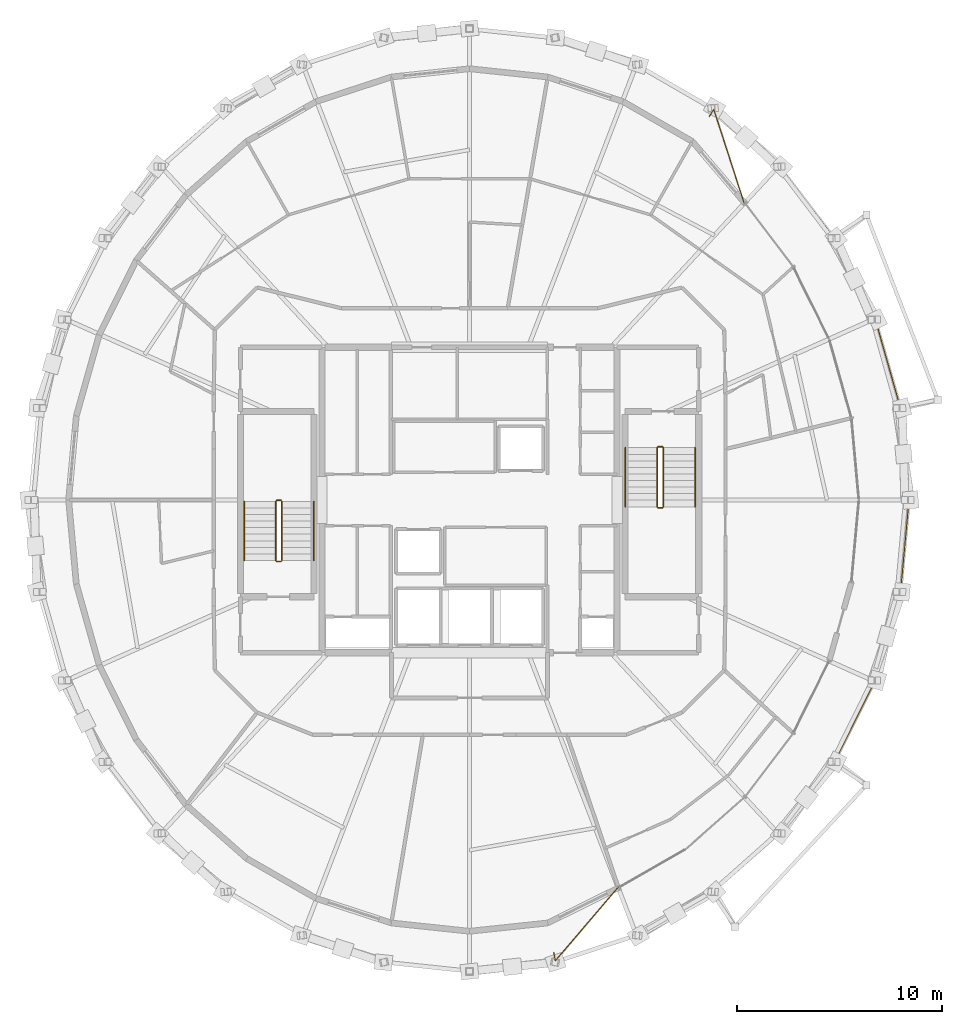
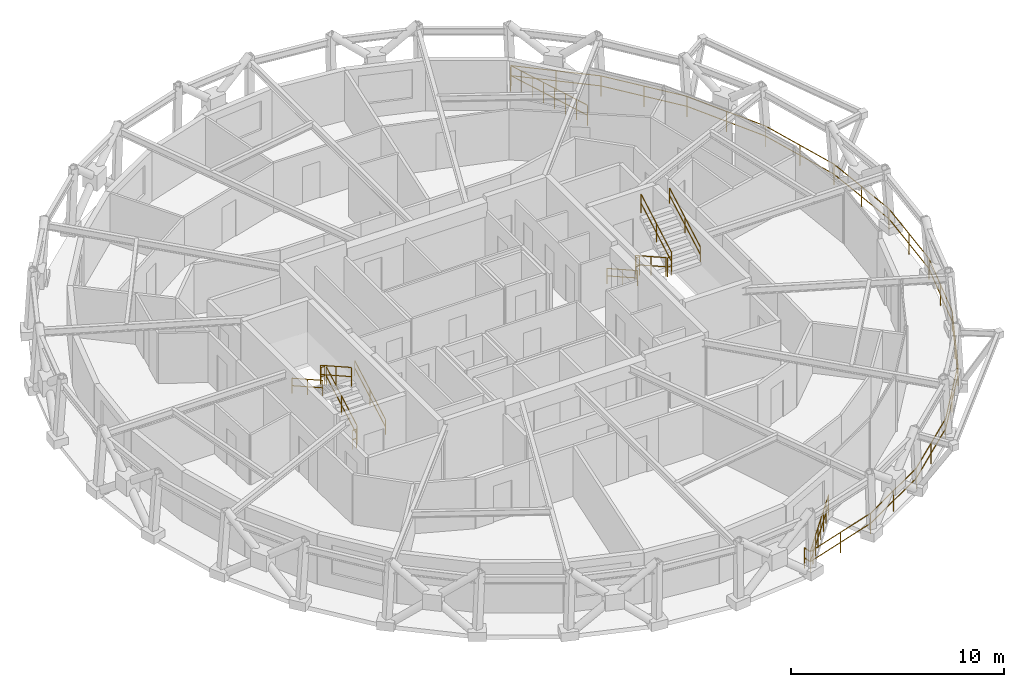
# One storey, part 15 of 15: 15 railings.
"""IFC4 building model written with IfcOpenShell, lengths in metres."""

from ifc_helpers import new_model, si_unit, direction, frame, origin, origin_2d, place, context, subcontext, project, spatial, circle, extrude, material, type_object, element, save


model = new_model("IFC4")

# Units and contexts
model_context = context("Model", 3, precision=1e-05, world=origin(), true_north=direction((0.0, 1.0)))
body_context = subcontext(model_context, "Body", "Model", "MODEL_VIEW")
ifc_project = project(units=[si_unit("LENGTHUNIT", "METRE"), si_unit("AREAUNIT", "SQUARE_METRE"), si_unit("VOLUMEUNIT", "CUBIC_METRE"), si_unit("PLANEANGLEUNIT", "RADIAN"), si_unit("MASSUNIT", "GRAM", prefix="KILO")], contexts=[model_context])

# Site, building, storey
site_placement = place(None, origin())
site = spatial("IfcSite", under=ifc_project, at=site_placement, CompositionType="ELEMENT")
building_placement = place(site_placement, origin())
building = spatial("IfcBuilding", under=site, at=building_placement, Name="Veldorina Hangang Commons", CompositionType="ELEMENT")
storey_placement = place(building_placement, frame((0.0, 0.0, 268.800048828125)))
storey = spatial("IfcBuildingStorey", under=building, at=storey_placement, Name="L70", CompositionType="ELEMENT", Elevation=268.800048828125)

# Railings
ifc_material_1 = material(Name="Glass Laminated Safety Balustrade", Category="glass")
railing_type_1 = type_object("IfcRailingType", Name="RL-BAL-LOGGIA", PredefinedType="BALUSTRADE", material=ifc_material_1)
railing_1_placement = place(storey_placement, frame((36.106201171875, 1.9365234375, 0.0)))
element("IfcRailing", 1, at=railing_1_placement, inside=storey, type_object=railing_type_1, Name="L70 sky-garden loggia end balustrade A", PredefinedType="BALUSTRADE", context=body_context, shape_type="SweptSolid", body=[
    extrude(circle(Radius=0.02392578125, at=origin_2d()), frame((0.0, 0.0, 1.17578125), z_axis=(0.183025457922, -0.983108173983, 0.0), x_axis=(0.983108173983, 0.183025457922, 0.0)), (0.0, 0.0, 1.0), 0.420166015625),
    extrude(circle(Radius=0.02392578125, at=origin_2d()), frame((0.0, 0.0, 0.60009765625), z_axis=(0.183025457922, -0.983108173983, 0.0), x_axis=(0.983108173983, 0.183025457922, 0.0)), (0.0, 0.0, 1.0), 0.420166015625),
    extrude(circle(Radius=0.02392578125, at=origin_2d()), frame((0.076904296875, -0.4130859375, 1.17578125), z_axis=(0.64965558227, 0.76022866588, 0.0), x_axis=(-0.76022866588, 0.64965558227, 0.0)), (0.0, 0.0, 1.0), 4.7294921875),
    extrude(circle(Radius=0.02392578125, at=origin_2d()), frame((0.076904296875, -0.4130859375, 0.60009765625), z_axis=(0.64965558227, 0.76022866588, 0.0), x_axis=(-0.76022866588, 0.64965558227, 0.0)), (0.0, 0.0, 1.0), 4.7294921875),
    extrude(circle(Radius=0.02099609375, at=origin_2d()), origin(), (0.0, 0.0, 1.0), 1.15185546875),
    extrude(circle(Radius=0.02099609375, at=origin_2d()), frame((0.076904296875, -0.4130859375, 0.0)), (0.0, 0.0, 1.0), 1.15185546875),
    extrude(circle(Radius=0.02099609375, at=origin_2d()), frame((0.515869140625, 0.1005859375, 0.0)), (0.0, 0.0, 1.0), 1.15185546875),
    extrude(circle(Radius=0.02099609375, at=origin_2d()), frame((0.954833984375, 0.6142578125, 0.0)), (0.0, 0.0, 1.0), 1.15185546875),
    extrude(circle(Radius=0.02099609375, at=origin_2d()), frame((1.393798828125, 1.1279296875, 0.0)), (0.0, 0.0, 1.0), 1.15185546875),
    extrude(circle(Radius=0.02099609375, at=origin_2d()), frame((1.83251953125, 1.641357421875, 0.0)), (0.0, 0.0, 1.0), 1.15185546875),
    extrude(circle(Radius=0.02099609375, at=origin_2d()), frame((2.271484375, 2.155029296875, 0.0)), (0.0, 0.0, 1.0), 1.15185546875),
    extrude(circle(Radius=0.02099609375, at=origin_2d()), frame((2.71044921875, 2.668701171875, 0.0)), (0.0, 0.0, 1.0), 1.15185546875),
    extrude(circle(Radius=0.02099609375, at=origin_2d()), frame((3.1494140625, 3.182373046875, 0.0)), (0.0, 0.0, 1.0), 1.15185546875),
])
railing_2_placement = place(storey_placement, frame((43.68896484375, 42.697265625, 0.0)))
element("IfcRailing", 2, at=railing_2_placement, inside=storey, type_object=railing_type_1, Name="L70 sky-garden loggia end balustrade B", PredefinedType="BALUSTRADE", context=body_context, shape_type="SweptSolid", body=[
    extrude(circle(Radius=0.02392578125, at=origin_2d()), frame((0.0, 0.0, 1.17578125), z_axis=(0.530051181377, 0.847965650909, 0.0), x_axis=(-0.847965650909, 0.530051181377, 0.0)), (0.0, 0.0, 1.0), 0.420166015625),
    extrude(circle(Radius=0.02392578125, at=origin_2d()), frame((0.0, 0.0, 0.60009765625), z_axis=(0.530051181377, 0.847965650909, 0.0), x_axis=(-0.847965650909, 0.530051181377, 0.0)), (0.0, 0.0, 1.0), 0.420166015625),
    extrude(circle(Radius=0.02392578125, at=origin_2d()), frame((0.22265625, 0.356201171875, 1.17578125), z_axis=(0.308681104855, -0.951165587848, 0.0), x_axis=(0.951165587848, 0.308681104855, 0.0)), (0.0, 0.0, 1.0), 4.839599609375),
    extrude(circle(Radius=0.02392578125, at=origin_2d()), frame((0.22265625, 0.356201171875, 0.60009765625), z_axis=(0.308681104855, -0.951165587848, 0.0), x_axis=(0.951165587848, 0.308681104855, 0.0)), (0.0, 0.0, 1.0), 4.839599609375),
    extrude(circle(Radius=0.02099609375, at=origin_2d()), origin(), (0.0, 0.0, 1.0), 1.15185546875),
    extrude(circle(Radius=0.02099609375, at=origin_2d()), frame((0.22265625, 0.356201171875, 0.0)), (0.0, 0.0, 1.0), 1.15185546875),
    extrude(circle(Radius=0.02099609375, at=origin_2d()), frame((0.43603515625, -0.301513671875, 0.0)), (0.0, 0.0, 1.0), 1.15185546875),
    extrude(circle(Radius=0.02099609375, at=origin_2d()), frame((0.6494140625, -0.958984375, 0.0)), (0.0, 0.0, 1.0), 1.15185546875),
    extrude(circle(Radius=0.02099609375, at=origin_2d()), frame((0.86279296875, -1.61669921875, 0.0)), (0.0, 0.0, 1.0), 1.15185546875),
    extrude(circle(Radius=0.02099609375, at=origin_2d()), frame((1.076416015625, -2.274169921875, 0.0)), (0.0, 0.0, 1.0), 1.15185546875),
    extrude(circle(Radius=0.02099609375, at=origin_2d()), frame((1.289794921875, -2.931884765625, 0.0)), (0.0, 0.0, 1.0), 1.15185546875),
    extrude(circle(Radius=0.02099609375, at=origin_2d()), frame((1.503173828125, -3.58935546875, 0.0)), (0.0, 0.0, 1.0), 1.15185546875),
    extrude(circle(Radius=0.02099609375, at=origin_2d()), frame((1.716552734375, -4.2470703125, 0.0)), (0.0, 0.0, 1.0), 1.15185546875),
])
railing_3_placement = place(storey_placement, frame((36.18310546875, 1.5234375, 0.0)))
element("IfcRailing", 3, at=railing_3_placement, inside=storey, type_object=railing_type_1, Name="L70 sky-garden loggia outer balustrade", PredefinedType="BALUSTRADE", context=body_context, shape_type="SweptSolid", body=[
    extrude(circle(Radius=0.02392578125, at=origin_2d()), frame((0.0, 0.0, 1.17578125), z_axis=(0.95120449931, 0.308561177875, 0.0), x_axis=(-0.308561177875, 0.95120449931, 0.0)), (0.0, 0.0, 1.0), 4.228271484375),
    extrude(circle(Radius=0.02392578125, at=origin_2d()), frame((0.0, 0.0, 0.60009765625), z_axis=(0.95120449931, 0.308561177875, 0.0), x_axis=(-0.308561177875, 0.95120449931, 0.0)), (0.0, 0.0, 1.0), 4.228271484375),
    extrude(circle(Radius=0.02392578125, at=origin_2d()), frame((4.02197265625, 1.3046875, 1.17578125), z_axis=(0.868204428665, 0.496206680775, 0.0), x_axis=(-0.496206680775, 0.868204428665, 0.0)), (0.0, 0.0, 1.0), 4.269287109375),
    extrude(circle(Radius=0.02392578125, at=origin_2d()), frame((4.02197265625, 1.3046875, 0.60009765625), z_axis=(0.868204428665, 0.496206680775, 0.0), x_axis=(-0.496206680775, 0.868204428665, 0.0)), (0.0, 0.0, 1.0), 4.269287109375),
    extrude(circle(Radius=0.02392578125, at=origin_2d()), frame((7.728515625, 3.423095703125, 1.17578125), z_axis=(0.75162054499, 0.659595752221, 0.0), x_axis=(-0.659595752221, 0.75162054499, 0.0)), (0.0, 0.0, 1.0), 4.32177734375),
    extrude(circle(Radius=0.02392578125, at=origin_2d()), frame((7.728515625, 3.423095703125, 0.60009765625), z_axis=(0.75162054499, 0.659595752221, 0.0), x_axis=(-0.659595752221, 0.75162054499, 0.0)), (0.0, 0.0, 1.0), 4.32177734375),
    extrude(circle(Radius=0.02392578125, at=origin_2d()), frame((10.976806640625, 6.273681640625, 1.17578125), z_axis=(0.608858777572, 0.793278632621, 0.0), x_axis=(-0.793278632621, 0.608858777572, 0.0)), (0.0, 0.0, 1.0), 4.3779296875),
    extrude(circle(Radius=0.02392578125, at=origin_2d()), frame((10.976806640625, 6.273681640625, 0.60009765625), z_axis=(0.608858777572, 0.793278632621, 0.0), x_axis=(-0.793278632621, 0.608858777572, 0.0)), (0.0, 0.0, 1.0), 4.3779296875),
    extrude(circle(Radius=0.02392578125, at=origin_2d()), frame((13.642333984375, 9.74658203125, 1.17578125), z_axis=(0.447103345932, 0.894482307291, 0.0), x_axis=(-0.894482307291, 0.447103345932, 0.0)), (0.0, 0.0, 1.0), 4.428955078125),
    extrude(circle(Radius=0.02392578125, at=origin_2d()), frame((13.642333984375, 9.74658203125, 0.60009765625), z_axis=(0.447103345932, 0.894482307291, 0.0), x_axis=(-0.894482307291, 0.447103345932, 0.0)), (0.0, 0.0, 1.0), 4.428955078125),
    extrude(circle(Radius=0.02392578125, at=origin_2d()), frame((15.62255859375, 13.708251953125, 1.17578125), z_axis=(0.272938080984, 0.962031602365, 0.0), x_axis=(-0.962031602365, 0.272938080984, 0.0)), (0.0, 0.0, 1.0), 4.468017578125),
    extrude(circle(Radius=0.02392578125, at=origin_2d()), frame((15.62255859375, 13.708251953125, 0.60009765625), z_axis=(0.272938080984, 0.962031602365, 0.0), x_axis=(-0.962031602365, 0.272938080984, 0.0)), (0.0, 0.0, 1.0), 4.468017578125),
    extrude(circle(Radius=0.02392578125, at=origin_2d()), frame((16.842041015625, 18.006591796875, 1.17578125), z_axis=(0.091697890017, 0.995786873265, 0.0), x_axis=(-0.995786873265, 0.091697890017, 0.0)), (0.0, 0.0, 1.0), 4.48876953125),
    extrude(circle(Radius=0.02392578125, at=origin_2d()), frame((16.842041015625, 18.006591796875, 0.60009765625), z_axis=(0.091697890017, 0.995786873265, 0.0), x_axis=(-0.995786873265, 0.091697890017, 0.0)), (0.0, 0.0, 1.0), 4.48876953125),
    extrude(circle(Radius=0.02392578125, at=origin_2d()), frame((17.253662109375, 22.4765625, 1.17578125), z_axis=(-0.091697890017, 0.995786873265, 0.0), x_axis=(-0.995786873265, -0.091697890017, 0.0)), (0.0, 0.0, 1.0), 4.48876953125),
    extrude(circle(Radius=0.02392578125, at=origin_2d()), frame((17.253662109375, 22.4765625, 0.60009765625), z_axis=(-0.091697890017, 0.995786873265, 0.0), x_axis=(-0.995786873265, -0.091697890017, 0.0)), (0.0, 0.0, 1.0), 4.48876953125),
    extrude(circle(Radius=0.02392578125, at=origin_2d()), frame((16.842041015625, 26.946533203125, 1.17578125), z_axis=(-0.272938080984, 0.962031602365, 0.0), x_axis=(-0.962031602365, -0.272938080984, 0.0)), (0.0, 0.0, 1.0), 4.468017578125),
    extrude(circle(Radius=0.02392578125, at=origin_2d()), frame((16.842041015625, 26.946533203125, 0.60009765625), z_axis=(-0.272938080984, 0.962031602365, 0.0), x_axis=(-0.962031602365, -0.272938080984, 0.0)), (0.0, 0.0, 1.0), 4.468017578125),
    extrude(circle(Radius=0.02392578125, at=origin_2d()), frame((15.62255859375, 31.244873046875, 1.17578125), z_axis=(-0.447103345932, 0.894482307291, 0.0), x_axis=(-0.894482307291, -0.447103345932, 0.0)), (0.0, 0.0, 1.0), 4.428955078125),
    extrude(circle(Radius=0.02392578125, at=origin_2d()), frame((15.62255859375, 31.244873046875, 0.60009765625), z_axis=(-0.447103345932, 0.894482307291, 0.0), x_axis=(-0.894482307291, -0.447103345932, 0.0)), (0.0, 0.0, 1.0), 4.428955078125),
    extrude(circle(Radius=0.02392578125, at=origin_2d()), frame((13.642333984375, 35.20654296875, 1.17578125), z_axis=(-0.608858777572, 0.793278632621, 0.0), x_axis=(-0.793278632621, -0.608858777572, 0.0)), (0.0, 0.0, 1.0), 4.3779296875),
    extrude(circle(Radius=0.02392578125, at=origin_2d()), frame((13.642333984375, 35.20654296875, 0.60009765625), z_axis=(-0.608858777572, 0.793278632621, 0.0), x_axis=(-0.793278632621, -0.608858777572, 0.0)), (0.0, 0.0, 1.0), 4.3779296875),
    extrude(circle(Radius=0.02392578125, at=origin_2d()), frame((10.976806640625, 38.679443359375, 1.17578125), z_axis=(-0.75162054499, 0.659595752221, 0.0), x_axis=(-0.659595752221, -0.75162054499, 0.0)), (0.0, 0.0, 1.0), 4.32177734375),
    extrude(circle(Radius=0.02392578125, at=origin_2d()), frame((10.976806640625, 38.679443359375, 0.60009765625), z_axis=(-0.75162054499, 0.659595752221, 0.0), x_axis=(-0.659595752221, -0.75162054499, 0.0)), (0.0, 0.0, 1.0), 4.32177734375),
    extrude(circle(Radius=0.02099609375, at=origin_2d()), origin(), (0.0, 0.0, 1.0), 1.15185546875),
    extrude(circle(Radius=0.02099609375, at=origin_2d()), frame((2.010986328125, 0.65234375, 0.0)), (0.0, 0.0, 1.0), 1.15185546875),
    extrude(circle(Radius=0.02099609375, at=origin_2d()), frame((4.02197265625, 1.3046875, 0.0)), (0.0, 0.0, 1.0), 1.15185546875),
    extrude(circle(Radius=0.02099609375, at=origin_2d()), frame((5.875244140625, 2.36376953125, 0.0)), (0.0, 0.0, 1.0), 1.15185546875),
    extrude(circle(Radius=0.02099609375, at=origin_2d()), frame((7.728515625, 3.423095703125, 0.0)), (0.0, 0.0, 1.0), 1.15185546875),
    extrude(circle(Radius=0.02099609375, at=origin_2d()), frame((9.3525390625, 4.848388671875, 0.0)), (0.0, 0.0, 1.0), 1.15185546875),
    extrude(circle(Radius=0.02099609375, at=origin_2d()), frame((10.976806640625, 6.273681640625, 0.0)), (0.0, 0.0, 1.0), 1.15185546875),
    extrude(circle(Radius=0.02099609375, at=origin_2d()), frame((12.3095703125, 8.01025390625, 0.0)), (0.0, 0.0, 1.0), 1.15185546875),
    extrude(circle(Radius=0.02099609375, at=origin_2d()), frame((13.642333984375, 9.74658203125, 0.0)), (0.0, 0.0, 1.0), 1.15185546875),
    extrude(circle(Radius=0.02099609375, at=origin_2d()), frame((14.63232421875, 11.7275390625, 0.0)), (0.0, 0.0, 1.0), 1.15185546875),
    extrude(circle(Radius=0.02099609375, at=origin_2d()), frame((15.62255859375, 13.708251953125, 0.0)), (0.0, 0.0, 1.0), 1.15185546875),
    extrude(circle(Radius=0.02099609375, at=origin_2d()), frame((16.232421875, 15.857421875, 0.0)), (0.0, 0.0, 1.0), 1.15185546875),
    extrude(circle(Radius=0.02099609375, at=origin_2d()), frame((16.842041015625, 18.006591796875, 0.0)), (0.0, 0.0, 1.0), 1.15185546875),
    extrude(circle(Radius=0.02099609375, at=origin_2d()), frame((17.0478515625, 20.24169921875, 0.0)), (0.0, 0.0, 1.0), 1.15185546875),
    extrude(circle(Radius=0.02099609375, at=origin_2d()), frame((17.253662109375, 22.4765625, 0.0)), (0.0, 0.0, 1.0), 1.15185546875),
    extrude(circle(Radius=0.02099609375, at=origin_2d()), frame((17.0478515625, 24.71142578125, 0.0)), (0.0, 0.0, 1.0), 1.15185546875),
    extrude(circle(Radius=0.02099609375, at=origin_2d()), frame((16.842041015625, 26.946533203125, 0.0)), (0.0, 0.0, 1.0), 1.15185546875),
    extrude(circle(Radius=0.02099609375, at=origin_2d()), frame((16.232421875, 29.095703125, 0.0)), (0.0, 0.0, 1.0), 1.15185546875),
    extrude(circle(Radius=0.02099609375, at=origin_2d()), frame((15.62255859375, 31.244873046875, 0.0)), (0.0, 0.0, 1.0), 1.15185546875),
    extrude(circle(Radius=0.02099609375, at=origin_2d()), frame((14.63232421875, 33.2255859375, 0.0)), (0.0, 0.0, 1.0), 1.15185546875),
    extrude(circle(Radius=0.02099609375, at=origin_2d()), frame((13.642333984375, 35.20654296875, 0.0)), (0.0, 0.0, 1.0), 1.15185546875),
    extrude(circle(Radius=0.02099609375, at=origin_2d()), frame((12.3095703125, 36.94287109375, 0.0)), (0.0, 0.0, 1.0), 1.15185546875),
    extrude(circle(Radius=0.02099609375, at=origin_2d()), frame((10.976806640625, 38.679443359375, 0.0)), (0.0, 0.0, 1.0), 1.15185546875),
    extrude(circle(Radius=0.02099609375, at=origin_2d()), frame((9.3525390625, 40.104736328125, 0.0)), (0.0, 0.0, 1.0), 1.15185546875),
    extrude(circle(Radius=0.02099609375, at=origin_2d()), frame((7.728515625, 41.530029296875, 0.0)), (0.0, 0.0, 1.0), 1.15185546875),
])
ifc_material_2 = material(Name="Steel Painted Balustrade", Category="steel")
railing_type_2 = type_object("IfcRailingType", Name="RL-GRD-STAIR", PredefinedType="GUARDRAIL", material=ifc_material_2)
railing_4_placement = place(storey_placement, frame((22.85009765625, 21.050048828125, 0.179931640625)))
element("IfcRailing", 4, at=railing_4_placement, inside=storey, type_object=railing_type_2, Name="L70 ST-1 stair guard 1", PredefinedType="GUARDRAIL", context=body_context, shape_type="SweptSolid", body=[
    extrude(circle(Radius=0.02392578125, at=origin_2d()), frame((0.0, 0.0, 1.076171875), z_axis=(0.0, 0.87155185771, 0.490303333991), x_axis=(-1.0, 0.0, 0.0)), (0.0, 0.0, 1.0), 3.30419921875),
    extrude(circle(Radius=0.02392578125, at=origin_2d()), frame((0.0, 0.0, 0.550048828125), z_axis=(0.0, 0.87155185771, 0.490303333991), x_axis=(-1.0, 0.0, 0.0)), (0.0, 0.0, 1.0), 3.30419921875),
    extrude(circle(Radius=0.02099609375, at=origin_2d()), origin(), (0.0, 0.0, 1.0), 1.052001953125),
    extrude(circle(Radius=0.02099609375, at=origin_2d()), frame((0.0, 1.43994140625, 0.81005859375)), (0.0, 0.0, 1.0), 1.052001953125),
    extrude(circle(Radius=0.02099609375, at=origin_2d()), frame((0.0, 2.8798828125, 1.6201171875)), (0.0, 0.0, 1.0), 1.052001953125),
])
railing_5_placement = place(storey_placement, frame((22.800048828125, 23.97998046875, 1.800048828125)))
element("IfcRailing", 5, at=railing_5_placement, inside=storey, type_object=railing_type_2, Name="L70 ST-1 stair guard 2", PredefinedType="GUARDRAIL", context=body_context, shape_type="SweptSolid", body=[
    extrude(circle(Radius=0.02392578125, at=origin_2d()), frame((0.0, 0.0, 1.076171875), z_axis=(-1.0, 0.0, 0.0), x_axis=(0.0, -1.0, 0.0)), (0.0, 0.0, 1.0), 0.199951171875),
    extrude(circle(Radius=0.02392578125, at=origin_2d()), frame((0.0, 0.0, 0.550048828125), z_axis=(-1.0, 0.0, 0.0), x_axis=(0.0, -1.0, 0.0)), (0.0, 0.0, 1.0), 0.199951171875),
    extrude(circle(Radius=0.02099609375, at=origin_2d()), origin(), (0.0, 0.0, 1.0), 1.052001953125),
    extrude(circle(Radius=0.02099609375, at=origin_2d()), frame((-0.199951171875, 0.0, 0.0)), (0.0, 0.0, 1.0), 1.052001953125),
])
railing_6_placement = place(storey_placement, frame((22.550048828125, 23.929931640625, 1.97998046875)))
element("IfcRailing", 6, at=railing_6_placement, inside=storey, type_object=railing_type_2, Name="L70 ST-1 stair guard 3", PredefinedType="GUARDRAIL", context=body_context, shape_type="SweptSolid", body=[
    extrude(circle(Radius=0.02392578125, at=origin_2d()), frame((0.0, 0.0, 1.076171875), z_axis=(0.0, -0.871583430097, 0.490247207417), x_axis=(1.0, 0.0, 0.0)), (0.0, 0.0, 1.0), 3.30419921875),
    extrude(circle(Radius=0.02392578125, at=origin_2d()), frame((0.0, 0.0, 0.550048828125), z_axis=(0.0, -0.871583430097, 0.490247207417), x_axis=(1.0, 0.0, 0.0)), (0.0, 0.0, 1.0), 3.30419921875),
    extrude(circle(Radius=0.02099609375, at=origin_2d()), origin(), (0.0, 0.0, 1.0), 1.052001953125),
    extrude(circle(Radius=0.02099609375, at=origin_2d()), frame((0.0, -1.43994140625, 0.81005859375)), (0.0, 0.0, 1.0), 1.052001953125),
    extrude(circle(Radius=0.02099609375, at=origin_2d()), frame((0.0, -2.8798828125, 1.619873046875)), (0.0, 0.0, 1.0), 1.052001953125),
])
railing_7_placement = place(storey_placement, frame((22.800048828125, 21.0, 0.0)))
element("IfcRailing", 7, at=railing_7_placement, inside=storey, type_object=railing_type_2, Name="L70 ST-1 stair guard 4", PredefinedType="GUARDRAIL", context=body_context, shape_type="SweptSolid", body=[
    extrude(circle(Radius=0.02392578125, at=origin_2d()), frame((0.0, 0.0, 1.076171875), z_axis=(-1.0, 0.0, 0.0), x_axis=(0.0, -1.0, 0.0)), (0.0, 0.0, 1.0), 0.199951171875),
    extrude(circle(Radius=0.02392578125, at=origin_2d()), frame((0.0, 0.0, 0.550048828125), z_axis=(-1.0, 0.0, 0.0), x_axis=(0.0, -1.0, 0.0)), (0.0, 0.0, 1.0), 0.199951171875),
    extrude(circle(Radius=0.02099609375, at=origin_2d()), origin(), (0.0, 0.0, 1.0), 1.052001953125),
    extrude(circle(Radius=0.02099609375, at=origin_2d()), frame((-0.199951171875, 0.0, 0.0)), (0.0, 0.0, 1.0), 1.052001953125),
])
railing_8_placement = place(storey_placement, frame((41.14990234375, 26.550048828125, 0.179931640625)))
element("IfcRailing", 8, at=railing_8_placement, inside=storey, type_object=railing_type_2, Name="L70 ST-2 stair guard 1", PredefinedType="GUARDRAIL", context=body_context, shape_type="SweptSolid", body=[
    extrude(circle(Radius=0.02392578125, at=origin_2d()), frame((0.0, 0.0, 1.076171875), z_axis=(0.0, -0.871569617843, 0.490271762652), x_axis=(1.0, 0.0, 0.0)), (0.0, 0.0, 1.0), 3.304443359375),
    extrude(circle(Radius=0.02392578125, at=origin_2d()), frame((0.0, 0.0, 0.550048828125), z_axis=(0.0, -0.871569617843, 0.490271762652), x_axis=(1.0, 0.0, 0.0)), (0.0, 0.0, 1.0), 3.304443359375),
    extrude(circle(Radius=0.02099609375, at=origin_2d()), origin(), (0.0, 0.0, 1.0), 1.052001953125),
    extrude(circle(Radius=0.02099609375, at=origin_2d()), frame((0.0, -1.43994140625, 0.81005859375)), (0.0, 0.0, 1.0), 1.052001953125),
    extrude(circle(Radius=0.02099609375, at=origin_2d()), frame((0.0, -2.880126953125, 1.6201171875)), (0.0, 0.0, 1.0), 1.052001953125),
])
railing_9_placement = place(storey_placement, frame((41.199951171875, 23.6201171875, 1.800048828125)))
element("IfcRailing", 9, at=railing_9_placement, inside=storey, type_object=railing_type_2, Name="L70 ST-2 stair guard 2", PredefinedType="GUARDRAIL", context=body_context, shape_type="SweptSolid", body=[
    extrude(circle(Radius=0.02392578125, at=origin_2d()), frame((0.0, 0.0, 1.076171875), z_axis=(1.0, 0.0, 0.0), x_axis=(0.0, 1.0, 0.0)), (0.0, 0.0, 1.0), 0.199951171875),
    extrude(circle(Radius=0.02392578125, at=origin_2d()), frame((0.0, 0.0, 0.550048828125), z_axis=(1.0, 0.0, 0.0), x_axis=(0.0, 1.0, 0.0)), (0.0, 0.0, 1.0), 0.199951171875),
    extrude(circle(Radius=0.02099609375, at=origin_2d()), origin(), (0.0, 0.0, 1.0), 1.052001953125),
    extrude(circle(Radius=0.02099609375, at=origin_2d()), frame((0.199951171875, 0.0, 0.0)), (0.0, 0.0, 1.0), 1.052001953125),
])
railing_10_placement = place(storey_placement, frame((41.449951171875, 23.669921875, 1.97998046875)))
element("IfcRailing", 10, at=railing_10_placement, inside=storey, type_object=railing_type_2, Name="L70 ST-2 stair guard 3", PredefinedType="GUARDRAIL", context=body_context, shape_type="SweptSolid", body=[
    extrude(circle(Radius=0.02392578125, at=origin_2d()), frame((0.0, 0.0, 1.076171875), z_axis=(0.0, 0.871601186807, 0.490215637405), x_axis=(-1.0, 0.0, 0.0)), (0.0, 0.0, 1.0), 3.304443359375),
    extrude(circle(Radius=0.02392578125, at=origin_2d()), frame((0.0, 0.0, 0.550048828125), z_axis=(0.0, 0.871601186807, 0.490215637405), x_axis=(-1.0, 0.0, 0.0)), (0.0, 0.0, 1.0), 3.304443359375),
    extrude(circle(Radius=0.02099609375, at=origin_2d()), origin(), (0.0, 0.0, 1.0), 1.052001953125),
    extrude(circle(Radius=0.02099609375, at=origin_2d()), frame((0.0, 1.43994140625, 0.81005859375)), (0.0, 0.0, 1.0), 1.052001953125),
    extrude(circle(Radius=0.02099609375, at=origin_2d()), frame((0.0, 2.880126953125, 1.619873046875)), (0.0, 0.0, 1.0), 1.052001953125),
])
railing_11_placement = place(storey_placement, frame((41.199951171875, 26.60009765625, 0.0)))
element("IfcRailing", 11, at=railing_11_placement, inside=storey, type_object=railing_type_2, Name="L70 ST-2 stair guard 4", PredefinedType="GUARDRAIL", context=body_context, shape_type="SweptSolid", body=[
    extrude(circle(Radius=0.02392578125, at=origin_2d()), frame((0.0, 0.0, 1.076171875), z_axis=(1.0, 0.0, 0.0), x_axis=(0.0, 1.0, 0.0)), (0.0, 0.0, 1.0), 0.199951171875),
    extrude(circle(Radius=0.02392578125, at=origin_2d()), frame((0.0, 0.0, 0.550048828125), z_axis=(1.0, 0.0, 0.0), x_axis=(0.0, 1.0, 0.0)), (0.0, 0.0, 1.0), 0.199951171875),
    extrude(circle(Radius=0.02099609375, at=origin_2d()), origin(), (0.0, 0.0, 1.0), 1.052001953125),
    extrude(circle(Radius=0.02099609375, at=origin_2d()), frame((0.199951171875, 0.0, 0.0)), (0.0, 0.0, 1.0), 1.052001953125),
])
ifc_material_3 = material(Name="Stainless Steel Brushed 316", Category="steel")
railing_type_3 = type_object("IfcRailingType", Name="RL-HND-STAIR", PredefinedType="HANDRAIL", material=ifc_material_3)
railing_12_placement = place(storey_placement, frame((24.39990234375, 21.050048828125, 0.179931640625)))
element("IfcRailing", 12, at=railing_12_placement, inside=storey, type_object=railing_type_3, Name="L70 ST-1 stair handrail 1", PredefinedType="HANDRAIL", context=body_context, shape_type="SweptSolid", body=[
    extrude(circle(Radius=0.02392578125, at=origin_2d()), frame((0.0, 0.0, 0.8759765625), z_axis=(0.0, 0.87155185771, 0.490303333991), x_axis=(-1.0, 0.0, 0.0)), (0.0, 0.0, 1.0), 3.30419921875),
    extrude(circle(Radius=0.02392578125, at=origin_2d()), frame((0.0, 0.0, 0.449951171875), z_axis=(0.0, 0.87155185771, 0.490303333991), x_axis=(-1.0, 0.0, 0.0)), (0.0, 0.0, 1.0), 3.30419921875),
    extrude(circle(Radius=0.02099609375, at=origin_2d()), origin(), (0.0, 0.0, 1.0), 0.851806640625),
    extrude(circle(Radius=0.02099609375, at=origin_2d()), frame((0.0, 1.43994140625, 0.81005859375)), (0.0, 0.0, 1.0), 0.851806640625),
    extrude(circle(Radius=0.02099609375, at=origin_2d()), frame((0.0, 2.8798828125, 1.6201171875)), (0.0, 0.0, 1.0), 0.851806640625),
])
railing_13_placement = place(storey_placement, frame((21.0, 23.929931640625, 1.97998046875)))
element("IfcRailing", 13, at=railing_13_placement, inside=storey, type_object=railing_type_3, Name="L70 ST-1 stair handrail 2", PredefinedType="HANDRAIL", context=body_context, shape_type="SweptSolid", body=[
    extrude(circle(Radius=0.02392578125, at=origin_2d()), frame((0.0, 0.0, 0.8759765625), z_axis=(0.0, -0.871583430097, 0.490247207417), x_axis=(1.0, 0.0, 0.0)), (0.0, 0.0, 1.0), 3.30419921875),
    extrude(circle(Radius=0.02392578125, at=origin_2d()), frame((0.0, 0.0, 0.449951171875), z_axis=(0.0, -0.871583430097, 0.490247207417), x_axis=(1.0, 0.0, 0.0)), (0.0, 0.0, 1.0), 3.30419921875),
    extrude(circle(Radius=0.02099609375, at=origin_2d()), origin(), (0.0, 0.0, 1.0), 0.851806640625),
    extrude(circle(Radius=0.02099609375, at=origin_2d()), frame((0.0, -1.43994140625, 0.81005859375)), (0.0, 0.0, 1.0), 0.851806640625),
    extrude(circle(Radius=0.02099609375, at=origin_2d()), frame((0.0, -2.8798828125, 1.619873046875)), (0.0, 0.0, 1.0), 0.851806640625),
])
railing_14_placement = place(storey_placement, frame((39.60009765625, 26.550048828125, 0.179931640625)))
element("IfcRailing", 14, at=railing_14_placement, inside=storey, type_object=railing_type_3, Name="L70 ST-2 stair handrail 1", PredefinedType="HANDRAIL", context=body_context, shape_type="SweptSolid", body=[
    extrude(circle(Radius=0.02392578125, at=origin_2d()), frame((0.0, 0.0, 0.8759765625), z_axis=(0.0, -0.871569617843, 0.490271762652), x_axis=(1.0, 0.0, 0.0)), (0.0, 0.0, 1.0), 3.304443359375),
    extrude(circle(Radius=0.02392578125, at=origin_2d()), frame((0.0, 0.0, 0.449951171875), z_axis=(0.0, -0.871569617843, 0.490271762652), x_axis=(1.0, 0.0, 0.0)), (0.0, 0.0, 1.0), 3.304443359375),
    extrude(circle(Radius=0.02099609375, at=origin_2d()), origin(), (0.0, 0.0, 1.0), 0.851806640625),
    extrude(circle(Radius=0.02099609375, at=origin_2d()), frame((0.0, -1.43994140625, 0.81005859375)), (0.0, 0.0, 1.0), 0.851806640625),
    extrude(circle(Radius=0.02099609375, at=origin_2d()), frame((0.0, -2.880126953125, 1.6201171875)), (0.0, 0.0, 1.0), 0.851806640625),
])
railing_15_placement = place(storey_placement, frame((43.0, 23.669921875, 1.97998046875)))
element("IfcRailing", 15, at=railing_15_placement, inside=storey, type_object=railing_type_3, Name="L70 ST-2 stair handrail 2", PredefinedType="HANDRAIL", context=body_context, shape_type="SweptSolid", body=[
    extrude(circle(Radius=0.02392578125, at=origin_2d()), frame((0.0, 0.0, 0.8759765625), z_axis=(0.0, 0.871601186807, 0.490215637405), x_axis=(-1.0, 0.0, 0.0)), (0.0, 0.0, 1.0), 3.304443359375),
    extrude(circle(Radius=0.02392578125, at=origin_2d()), frame((0.0, 0.0, 0.449951171875), z_axis=(0.0, 0.871601186807, 0.490215637405), x_axis=(-1.0, 0.0, 0.0)), (0.0, 0.0, 1.0), 3.304443359375),
    extrude(circle(Radius=0.02099609375, at=origin_2d()), origin(), (0.0, 0.0, 1.0), 0.851806640625),
    extrude(circle(Radius=0.02099609375, at=origin_2d()), frame((0.0, 1.43994140625, 0.81005859375)), (0.0, 0.0, 1.0), 0.851806640625),
    extrude(circle(Radius=0.02099609375, at=origin_2d()), frame((0.0, 2.880126953125, 1.619873046875)), (0.0, 0.0, 1.0), 0.851806640625),
])

save(model, "model.ifc")
